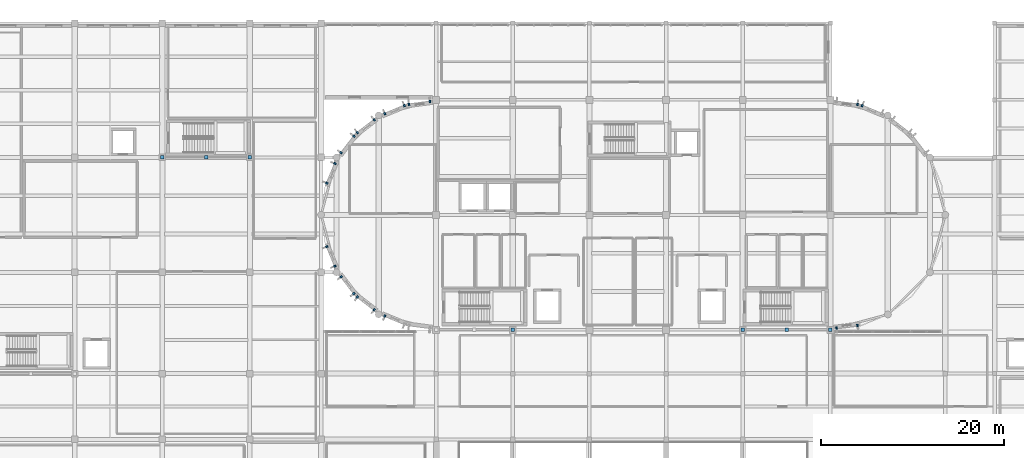
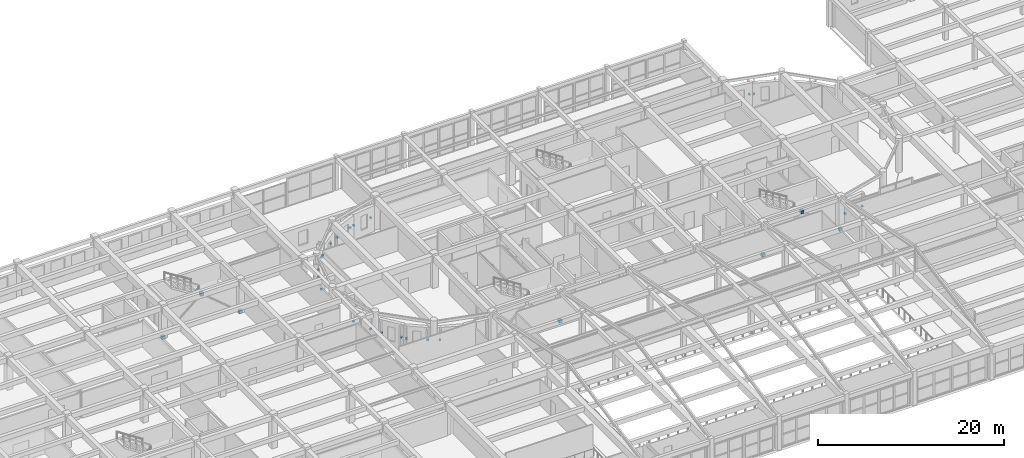
# One storey, part 78 of 91: 28 discrete accessories.
"""IFC4 building model written with IfcOpenShell, lengths in metres."""

from ifc_helpers import new_model, si_unit, direction, frame, origin, origin_2d, place, context, subcontext, project, spatial, rectangle, extrude, material, type_object, element, save


model = new_model("IFC4")

# Units and contexts
model_context = context("Model", 3, precision=1e-05, world=origin(), true_north=direction((0.0, 1.0)))
body_context = subcontext(model_context, "Body", "Model", "MODEL_VIEW")
ifc_project = project(units=[si_unit("LENGTHUNIT", "METRE"), si_unit("AREAUNIT", "SQUARE_METRE"), si_unit("VOLUMEUNIT", "CUBIC_METRE"), si_unit("PLANEANGLEUNIT", "RADIAN"), si_unit("MASSUNIT", "GRAM", prefix="KILO")], contexts=[model_context])

# Site, building, storey
site_placement = place(None, origin())
site = spatial("IfcSite", under=ifc_project, at=site_placement, CompositionType="ELEMENT")
building_placement = place(site_placement, origin())
building = spatial("IfcBuilding", under=site, at=building_placement, Name="Tarnavel Promenade Courthouse", CompositionType="ELEMENT")
storey_placement = place(building_placement, frame((0.0, 0.0, 9.89990234375)))
storey = spatial("IfcBuildingStorey", under=building, at=storey_placement, Name="L03", CompositionType="ELEMENT", Elevation=9.89990234375)

# Discrete accessories
ifc_material = material(Name="Steel S355J2", Category="steel")
discrete_accessory_type_1 = type_object("IfcDiscreteAccessoryType", Name="Steel S355J2 Facade Pier Anchor Bracket", PredefinedType="BRACKET", material=ifc_material)
for number, where, z_axis, x_axis, name in (
    (1, (58.1240234375, 104.210205078125, 1.60009765625), (0.0, 0.0, 1.0), (-0.991444861374, -0.13052619222, 0.0), "L03 Drum Pier Bracket 0061"),
    (2, (55.82958984375, 103.908203125, 1.60009765625), (0.0, 0.0, 1.0), (-0.991444861374, -0.13052619222, 0.0), "L03 Drum Pier Bracket 0062"),
    (3, (55.318603515625, 103.77099609375, 1.55029296875), (0.0, 0.0, 1.0), (-0.923879532511, -0.382683432365, 0.0), "L03 Drum Pier Bracket 0063"),
    (4, (53.180419921875, 102.885498046875, 1.55029296875), (0.0, 0.0, 1.0), (-0.923879532511, -0.382683432365, 0.0), "L03 Drum Pier Bracket 0064"),
    (5, (52.009521484375, 102.20947265625, 1.55029296875), (0.0, 0.0, 1.0), (-0.793353340291, -0.608761429009, 0.0), "L03 Drum Pier Bracket 0065"),
    (6, (50.173583984375, 100.80078125, 1.55029296875), (0.0, 0.0, 1.0), (-0.793353340291, -0.608761429009, 0.0), "L03 Drum Pier Bracket 0066"),
    (7, (49.79931640625, 100.426513671875, 1.60009765625), (0.0, 0.0, 1.0), (-0.608761429009, -0.793353340291, 0.0), "L03 Drum Pier Bracket 0067"),
    (8, (48.390380859375, 98.590576171875, 1.60009765625), (0.0, 0.0, 1.0), (-0.608761429009, -0.793353340291, 0.0), "L03 Drum Pier Bracket 0068"),
    (9, (47.714599609375, 97.419677734375, 1.60009765625), (0.0, 0.0, 1.0), (-0.382683432365, -0.923879532511, 0.0), "L03 Drum Pier Bracket 0069"),
    (10, (46.828857421875, 95.281494140625, 1.60009765625), (0.0, 0.0, 1.0), (-0.382683432365, -0.923879532511, 0.0), "L03 Drum Pier Bracket 0070"),
    (11, (46.828857421875, 88.318603515625, 1.60009765625), (0.0, 0.0, 1.0), (0.382683432365, -0.923879532511, 0.0), "L03 Drum Pier Bracket 0071"),
    (12, (47.714599609375, 86.180419921875, 1.60009765625), (0.0, 0.0, 1.0), (0.382683432365, -0.923879532511, 0.0), "L03 Drum Pier Bracket 0072"),
    (13, (48.390380859375, 85.009521484375, 1.60009765625), (0.0, 0.0, 1.0), (0.608761429009, -0.793353340291, 0.0), "L03 Drum Pier Bracket 0073"),
    (14, (49.79931640625, 83.173583984375, 1.60009765625), (0.0, 0.0, 1.0), (0.608761429009, -0.793353340291, 0.0), "L03 Drum Pier Bracket 0074"),
    (15, (50.173583984375, 82.79931640625, 1.55029296875), (0.0, 0.0, 1.0), (0.793353340291, -0.608761429009, 0.0), "L03 Drum Pier Bracket 0075"),
    (16, (52.009521484375, 81.390380859375, 1.55029296875), (0.0, 0.0, 1.0), (0.793353340291, -0.608761429009, 0.0), "L03 Drum Pier Bracket 0076"),
    (17, (53.180419921875, 80.714599609375, 1.55029296875), (0.0, 0.0, 1.0), (0.923879532511, -0.382683432365, 0.0), "L03 Drum Pier Bracket 0077"),
    (18, (102.676025390625, 79.389892578125, 1.60009765625), (0.0, 0.0, 1.0), (0.991444861374, 0.13052619222, 0.0), "L03 Drum Pier Bracket 0081"),
    (19, (104.970458984375, 79.69189453125, 1.60009765625), (0.0, 0.0, 1.0), (0.991444861374, 0.13052619222, 0.0), "L03 Drum Pier Bracket 0082"),
    (20, (105.4814453125, 103.77099609375, 1.55029296875), (0.0, 0.0, 1.0), (-0.923879532511, 0.382683432365, 0.0), "L03 Drum Pier Bracket 0088"),
    (21, (104.970458984375, 103.908203125, 1.60009765625), (0.0, 0.0, 1.0), (-0.991444861374, 0.13052619222, 0.0), "L03 Drum Pier Bracket 0089"),
):
    element("IfcDiscreteAccessory", number, at=place(storey_placement, frame(where, z_axis=z_axis, x_axis=x_axis)), inside=storey, type_object=discrete_accessory_type_1, Name=name, PredefinedType="BRACKET", context=body_context, shape_type="SweptSolid", body=[
        extrude(rectangle(XDim=0.199951171875, YDim=0.260009765625, at=origin_2d()), origin(), (0.0, 0.0, 1.0), 0.179931640625),
    ])
discrete_accessory_type_2 = type_object("IfcDiscreteAccessoryType", Name="Steel S355J2 Structural Connection Bracket", PredefinedType="BRACKET", material=ifc_material)
for number, where, z_axis, x_axis, name in (
    (22, (67.199951171875, 79.199951171875, -0.044921875), (0.0, 0.0, 1.0), (1.0, 0.0, 0.0), "L03 V5 Chevron Brace Gusset Node 004-R"),
    (23, (92.39990234375, 79.199951171875, -0.18994140625), (0.0, 0.0, 1.0), (1.0, 0.0, 0.0), "L03 V5 Chevron Brace Gusset Node 014-L"),
    (24, (97.199951171875, 79.199951171875, 3.80517578125), (0.0, 0.0, 1.0), (1.0, 0.0, 0.0), "L03 V5 Chevron Brace Gusset Node 014-M"),
    (25, (102.0, 79.199951171875, -0.18994140625), (0.0, 0.0, 1.0), (1.0, 0.0, 0.0), "L03 V5 Chevron Brace Gusset Node 014-R"),
    (26, (28.800048828125, 98.10009765625, -0.18994140625), (0.0, 0.0, 1.0), (1.0, 0.0, 0.0), "L03 V2 Chevron Brace Gusset Node 038-L"),
    (27, (33.60009765625, 98.10009765625, 3.80517578125), (0.0, 0.0, 1.0), (1.0, 0.0, 0.0), "L03 V2 Chevron Brace Gusset Node 038-M"),
    (28, (38.39990234375, 98.10009765625, -0.18994140625), (0.0, 0.0, 1.0), (1.0, 0.0, 0.0), "L03 V2 Chevron Brace Gusset Node 038-R"),
):
    element("IfcDiscreteAccessory", number, at=place(storey_placement, frame(where, z_axis=z_axis, x_axis=x_axis)), inside=storey, type_object=discrete_accessory_type_2, Name=name, PredefinedType="BRACKET", context=body_context, shape_type="SweptSolid", body=[
        extrude(rectangle(XDim=0.3798828125, YDim=0.360107421875, at=origin_2d()), origin(), (0.0, 0.0, 1.0), 0.3798828125),
    ])

save(model, "model.ifc")
